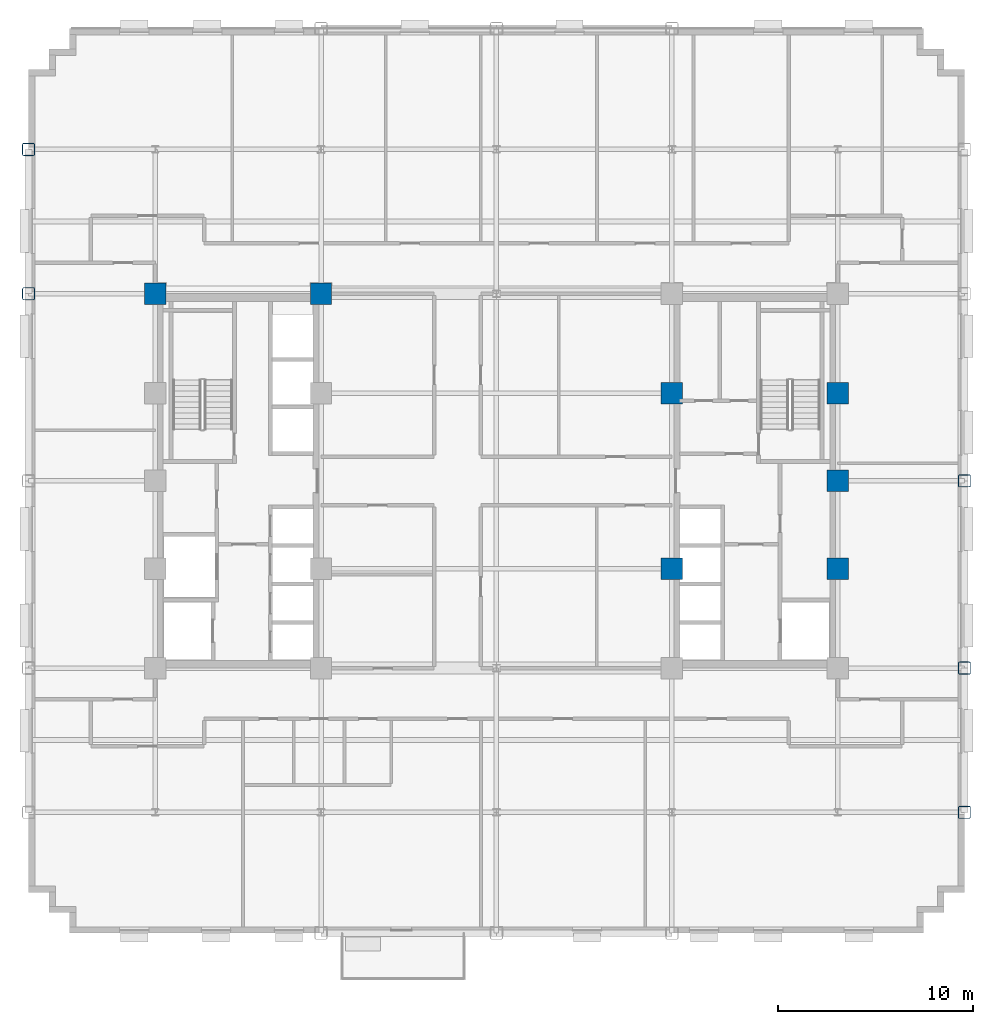
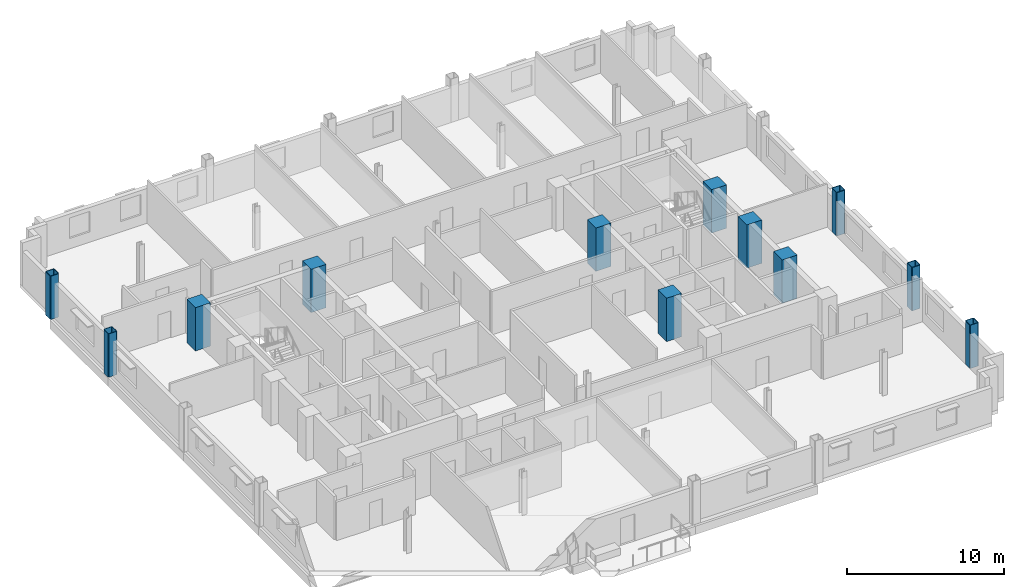
# One storey, part 2 of 14: 12 columns.
"""IFC4 building model written with IfcOpenShell, lengths in metres."""

from ifc_helpers import new_model, si_unit, direction, frame, origin, origin_2d, place, context, subcontext, project, spatial, rectangle, hollow_rectangle, extrude, material, material_profile, profile_set, type_object, element, save


model = new_model("IFC4")

# Units and contexts
model_context = context("Model", 3, precision=1e-05, world=origin(), true_north=direction((0.0, 1.0)))
body_context = subcontext(model_context, "Body", "Model", "MODEL_VIEW")
ifc_project = project(units=[si_unit("LENGTHUNIT", "METRE"), si_unit("AREAUNIT", "SQUARE_METRE"), si_unit("VOLUMEUNIT", "CUBIC_METRE"), si_unit("PLANEANGLEUNIT", "RADIAN"), si_unit("MASSUNIT", "GRAM", prefix="KILO")], contexts=[model_context])

# Site, building, storey
site_placement = place(None, origin())
site = spatial("IfcSite", under=ifc_project, at=site_placement, CompositionType="ELEMENT")
building_placement = place(site_placement, origin())
building = spatial("IfcBuilding", under=site, at=building_placement, Name="Nuvemarco Arch Tower", CompositionType="ELEMENT")
storey_placement = place(building_placement, frame((0.0, 0.0, 109.25)))
storey = spatial("IfcBuildingStorey", under=building, at=storey_placement, Name="L28", CompositionType="ELEMENT", Elevation=109.25)

# Columns
ifc_material_1 = material(Name="Concrete C60/75", Category="concrete")
ifc_material_profile_1 = material_profile(ifc_material_1, rectangle(XDim=1.10009765625, YDim=1.10009765625, at=origin_2d()), Name="RC-COL-1100x1100")
ifc_profile_set_1 = profile_set([ifc_material_profile_1], Name="Concrete C60/75")
column_type_1 = type_object("IfcColumnType", Name="COL-CORE-1100", PredefinedType="COLUMN", material=ifc_profile_set_1)
for number, where, z_axis, x_axis, name in (
    (1, (-17.5, 9.60009765625, 0.0), (0.0, 0.0, 1.0), (1.0, 0.0, 0.0), "L28 column CC_-17.5_+9.6"),
    (2, (-9.0, 9.60009765625, 0.0), (0.0, 0.0, 1.0), (1.0, 0.0, 0.0), "L28 column CC_-9.0_+9.6"),
    (3, (9.0, -4.5, 0.0), (0.0, 0.0, 1.0), (1.0, 0.0, 0.0), "L28 column CC_+9.0_-4.5"),
    (4, (9.0, 4.5, 0.0), (0.0, 0.0, 1.0), (1.0, 0.0, 0.0), "L28 column CC_+9.0_+4.5"),
    (5, (17.5, -4.5, 0.0), (0.0, 0.0, 1.0), (1.0, 0.0, 0.0), "L28 column CC_+17.5_-4.5"),
    (6, (17.5, 4.5, 0.0), (0.0, 0.0, 1.0), (1.0, 0.0, 0.0), "L28 column CC_+17.5_+4.5"),
    (7, (17.5, 0.0, 0.0), (0.0, 0.0, 1.0), (1.0, 0.0, 0.0), "L28 column CC_+17.5_+0.0"),
):
    element("IfcColumn", number, at=place(storey_placement, frame(where, z_axis=z_axis, x_axis=x_axis)), inside=storey, type_object=column_type_1, Name=name, PredefinedType="COLUMN", context=body_context, shape_type="SweptSolid", body=[
        extrude(rectangle(XDim=1.10009765625, YDim=1.10009765625, at=origin_2d()), origin(), (0.0, 0.0, 1.0), 3.3701171875),
    ])
ifc_material_2 = material(Name="Steel S355", Category="steel")
ifc_material_profile_2 = material_profile(ifc_material_2, hollow_rectangle(XDim=0.64990234375, YDim=0.64990234375, WallThickness=0.0400390625, InnerFilletRadius=0.0400390625, OuterFilletRadius=0.080078125, at=origin_2d()), Name="SHS650x650x40")
ifc_profile_set_2 = profile_set([ifc_material_profile_2], Name="Steel S355")
column_type_2 = type_object("IfcColumnType", Name="COL-EXO-650", PredefinedType="COLUMN", material=ifc_profile_set_2)
for number, where, z_axis, x_axis, name in (
    (8, (-24.0, 9.60009765625, 0.0), (0.0, 0.0, 1.0), (1.0, 0.0, 0.0), "L28 column CX_-24.0_+9.6"),
    (9, (-24.0, 17.0, 0.0), (0.0, 0.0, 1.0), (1.0, 0.0, 0.0), "L28 column CX_-24.0_+17.0"),
    (10, (24.0, -17.0, 0.0), (0.0, 0.0, 1.0), (1.0, 0.0, 0.0), "L28 column CX_+24.0_-17.0"),
    (11, (24.0, -9.60009765625, 0.0), (0.0, 0.0, 1.0), (1.0, 0.0, 0.0), "L28 column CX_+24.0_-9.6"),
    (12, (24.0, 0.0, 0.0), (0.0, 0.0, 1.0), (1.0, 0.0, 0.0), "L28 column CX_+24.0_+0.0"),
):
    element("IfcColumn", number, at=place(storey_placement, frame(where, z_axis=z_axis, x_axis=x_axis)), inside=storey, type_object=column_type_2, Name=name, PredefinedType="COLUMN", context=body_context, shape_type="SweptSolid", body=[
        extrude(hollow_rectangle(XDim=0.64990234375, YDim=0.64990234375, WallThickness=0.0400390625, InnerFilletRadius=0.0400390625, OuterFilletRadius=0.080078125, at=origin_2d()), origin(), (0.0, 0.0, 1.0), 3.3701171875),
    ])

save(model, "model.ifc")
